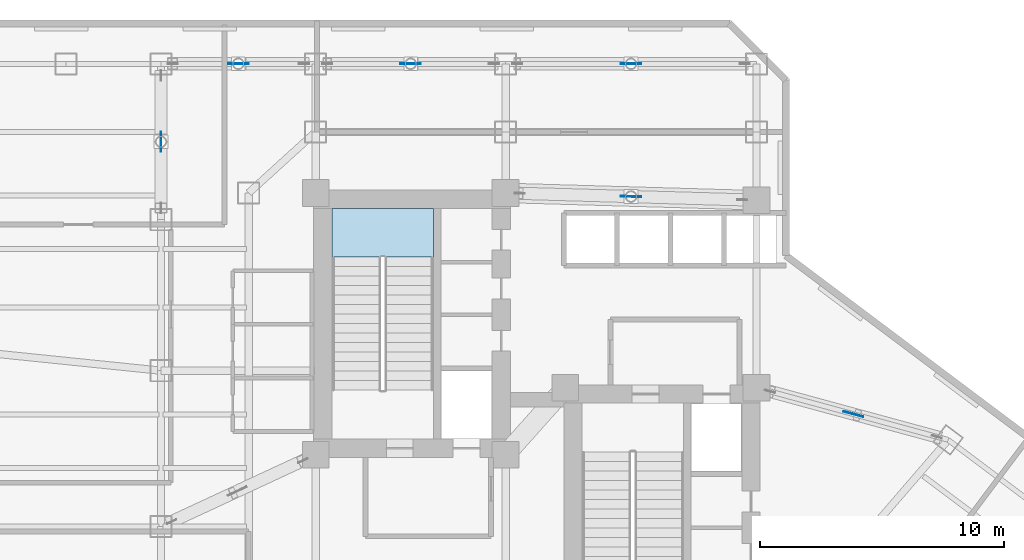
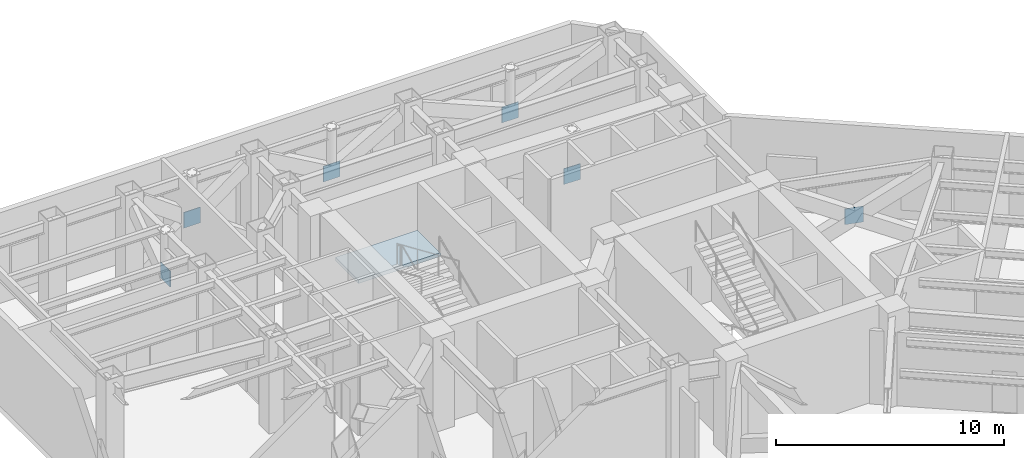
# One storey, part 5 of 14: 6 plates, 1 slab, 1 element without a shape of its own.
"""IFC4 building model written with IfcOpenShell, lengths in metres."""

from ifc_helpers import new_model, si_unit, direction, frame, origin, origin_2d, place, context, subcontext, project, spatial, polyline, rectangle, outline, extrude, material, layer, layer_set, type_object, element, aggregate, save


model = new_model("IFC4")

# Units and contexts
model_context = context("Model", 3, precision=1e-05, world=origin(), true_north=direction((0.0, 1.0)))
body_context = subcontext(model_context, "Body", "Model", "MODEL_VIEW")
ifc_project = project(units=[si_unit("LENGTHUNIT", "METRE"), si_unit("AREAUNIT", "SQUARE_METRE"), si_unit("VOLUMEUNIT", "CUBIC_METRE"), si_unit("PLANEANGLEUNIT", "RADIAN"), si_unit("MASSUNIT", "GRAM", prefix="KILO")], contexts=[model_context])

# Site, building, storey
site_placement = place(None, origin())
site = spatial("IfcSite", under=ifc_project, at=site_placement, CompositionType="ELEMENT")
building_placement = place(site_placement, origin())
building = spatial("IfcBuilding", under=site, at=building_placement, Name="Hatsunagi Terrace Concourse", CompositionType="ELEMENT")
storey_placement = place(building_placement, frame((0.0, 0.0, 91.35009765625)))
storey = spatial("IfcBuildingStorey", under=building, at=storey_placement, Name="L24", CompositionType="ELEMENT", Elevation=91.35009765625)

# Stair, slab
ifc_material_1 = material(Name="Concrete Fc42", Category="concrete")
stair_type = type_object("IfcStairType", Name="DoglegExitStair_Tower2000_30R_170", PredefinedType="HALF_TURN_STAIR", material=ifc_material_1)
stair_placement = place(storey_placement, origin())
stair = element("IfcStair", 1, at=stair_placement, inside=storey, type_object=stair_type, Name="L24 Core A Protected Exit Stair ST-A", PredefinedType="HALF_TURN_STAIR")
ifc_material_2 = material(Name="Concrete Fc42", Category="concrete")
ifc_layer_1 = layer(ifc_material_2, 0.199951171875)
ifc_layer_set_1 = layer_set([ifc_layer_1], Name="DoglegStairLanding_Tower2000")
slab_type = type_object("IfcSlabType", Name="DoglegStairLanding_Tower2000", PredefinedType="LANDING", material=ifc_layer_set_1)
slab_placement = place(storey_placement, frame((0.0, 0.0, 2.349853515625)))
slab = element("IfcSlab", 2, at=slab_placement, type_object=slab_type, Name="ST-A landing 1", PredefinedType="LANDING", context=body_context, shape_type="SweptSolid", body=[
    extrude(outline(polyline([(30.3798828125, 40.659912109375), (30.3798828125, 42.659912109375), (26.22998046875, 42.659912109375), (26.22998046875, 40.659912109375), (30.3798828125, 40.659912109375)])), origin(), (0.0, 0.0, 1.0), 0.199951171875),
])
aggregate(stair, [slab])

# Plates
ifc_material_3 = material(Name="Steel SN490C", Category="steel")
ifc_layer_2 = layer(ifc_material_3, 0.035888671875)
ifc_layer_set_2 = layer_set([ifc_layer_2], Name="OutriggerGussetPlate_36")
plate_type = type_object("IfcPlateType", Name="OutriggerGussetPlate_36", PredefinedType="USERDEFINED", material=ifc_layer_set_2)
for number, where, z_axis, x_axis, name in (
    (3, (19.199951171875, 45.39990234375, 2.0048828125), (0.0, 0.0, 1.0), (0.0, 1.0, 0.0), "Crossing Gusset Node Plate GP-01 OUT-L24-2"),
    (4, (22.375, 48.60009765625, 2.0048828125), (0.0, 0.0, 1.0), (1.0, 0.0, 0.0), "Crossing Gusset Node Plate GP-01 OUT-L24-3"),
    (5, (29.449951171875, 48.60009765625, 2.0048828125), (0.0, 0.0, 1.0), (1.0, 0.0, 0.0), "Crossing Gusset Node Plate GP-01 OUT-L24-4"),
    (6, (47.633056640625, 34.216064453125, 2.0048828125), (0.0, 0.0, 1.0), (0.964961560534, -0.262391285471, 0.0), "Crossing Gusset Node Plate GP-01 OUT-L24-6"),
    (7, (38.5, 43.14990234375, 2.0048828125), (0.0, 0.0, 1.0), (0.999576120557, -0.029113213716, 0.0), "Crossing Gusset Node Plate GP-01 OUT-L24-7"),
    (8, (38.5, 48.60009765625, 2.0048828125), (0.0, 0.0, 1.0), (1.0, 0.0, 0.0), "Crossing Gusset Node Plate GP-01 OUT-L24-8"),
):
    element("IfcPlate", number, at=place(storey_placement, frame(where, z_axis=z_axis, x_axis=x_axis)), inside=storey, type_object=plate_type, Name=name, ObjectType="GUSSET_PLATE", PredefinedType="USERDEFINED", context=body_context, shape_type="SweptSolid", body=[
        extrude(rectangle(XDim=0.840087890625, YDim=0.035888671875, at=origin_2d()), origin(), (0.0, 0.0, 1.0), 0.840087890625),
    ])

save(model, "model.ifc")
